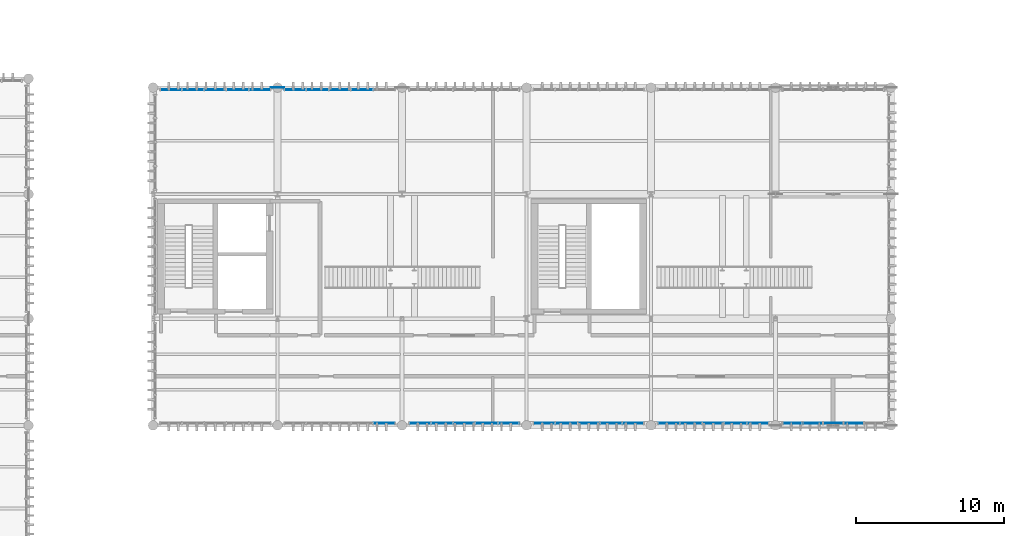
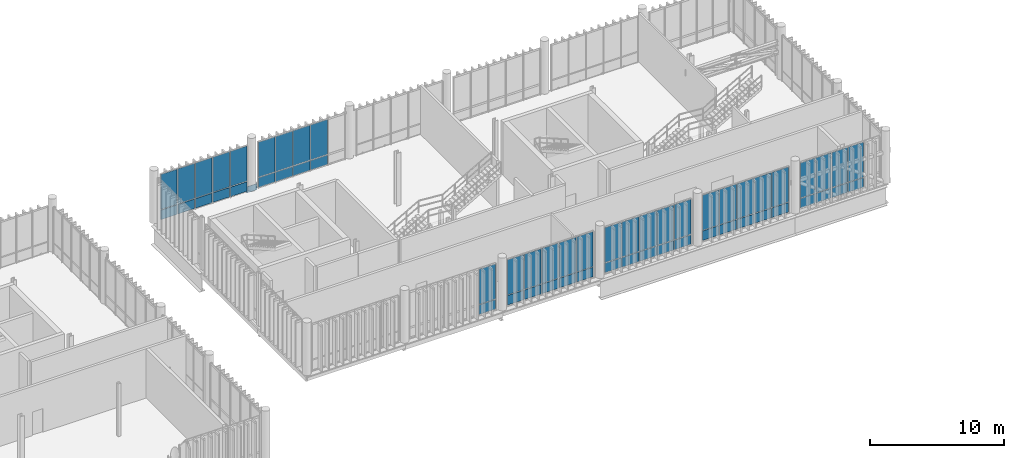
# One storey, part 65 of 86: 59 plates, 7 elements without a shape of their own.
"""IFC4 building model written with IfcOpenShell, lengths in metres."""

from ifc_helpers import new_model, si_unit, direction, frame, frame_2d, origin_with_axes, origin_2d_with_axis, place, context, subcontext, project, spatial, rectangle, extrude, material, layer, layer_set, type_object, element, aggregate, save


model = new_model("IFC4")

# Units and contexts
model_context = context("Model", 3, precision=1e-05, world=origin_with_axes(), true_north=direction((0.0, 1.0)))
body_context = subcontext(model_context, "Body", "Model", "MODEL_VIEW")
ifc_project = project(units=[si_unit("LENGTHUNIT", "METRE"), si_unit("AREAUNIT", "SQUARE_METRE"), si_unit("VOLUMEUNIT", "CUBIC_METRE"), si_unit("PLANEANGLEUNIT", "RADIAN"), si_unit("MASSUNIT", "GRAM", prefix="KILO"), si_unit("THERMODYNAMICTEMPERATUREUNIT", "KELVIN")], contexts=[model_context])

# Site, building, storey
site_placement = place(None, origin_with_axes())
site = spatial("IfcSite", under=ifc_project, at=site_placement, CompositionType="ELEMENT")
building_placement = place(site_placement, origin_with_axes())
building = spatial("IfcBuilding", under=site, at=building_placement, Name="Montbau Bow Law Courts", CompositionType="ELEMENT")
storey_placement = place(building_placement, frame((0.0, 0.0, 29.7), z_axis=(0.0, 0.0, 1.0), x_axis=(1.0, 0.0, 0.0)))
storey = spatial("IfcBuildingStorey", under=building, at=storey_placement, Name="L06", CompositionType="ELEMENT", Elevation=29.7)

# Curtain wall, plate
ifc_material_1 = material(Name="Thermally Broken Extruded Aluminium AA 6063-T6", Category="aluminium")
curtain_wall_type = type_object("IfcCurtainWallType", Name="CW-CRM-02", PredefinedType="NOTDEFINED", material=ifc_material_1)
curtain_wall_1_placement = place(None, frame((64.04, 39.14, 29.7), z_axis=(0.0, 0.0, 1.0), x_axis=(1.0, 0.0, 0.0)))
curtain_wall_1 = element("IfcCurtainWall", 1, at=curtain_wall_1_placement, inside=storey, type_object=curtain_wall_type, Name="CW-L06-224:cw_0224", PredefinedType="NOTDEFINED")
ifc_material_2 = material(Name="Triple-Glazed Low-E Argon Insulating Glass Unit", Category="glass")
ifc_layer_1 = layer(ifc_material_2, 0.044, Name="Curtain Panel", Category="glass")
ifc_layer_set_1 = layer_set([ifc_layer_1], Name="Triple-Glazed Low-E Argon Insulating Glass Unit")
plate_type_1 = type_object("IfcPlateType", Name="PL-CWP-01", PredefinedType="CURTAIN_PANEL", material=ifc_layer_set_1)
plate_1_placement = place(None, frame((70.088, 39.14, 30.682), z_axis=(0.0, -1.0, 0.0), x_axis=(1.0, 0.0, 0.0)))
plate_1 = element("IfcPlate", 2, at=plate_1_placement, type_object=plate_type_1, Name="CW-L06-224-P05-2:cw_0224_P05_2", PredefinedType="CURTAIN_PANEL", context=body_context, shape_type="SweptSolid", body=[
    extrude(rectangle(XDim=1.41, YDim=3.176, at=frame_2d((0.705, 1.588), x_axis=(1.0, 0.0))), frame((0.0, 0.0, -0.022), z_axis=(0.0, 0.0, 1.0), x_axis=(1.0, 0.0, 0.0)), (0.0, 0.0, 1.0), 0.044),
])

# Curtain wall, plates
curtain_wall_2_placement = place(None, frame((72.44, 39.14, 29.7), z_axis=(0.0, 0.0, 1.0), x_axis=(1.0, 0.0, 0.0)))
curtain_wall_2 = element("IfcCurtainWall", 3, at=curtain_wall_2_placement, inside=storey, type_object=curtain_wall_type, Name="CW-L06-225:cw_0225", PredefinedType="NOTDEFINED")
plate_2_placement = place(None, frame((72.516, 39.14, 30.679), z_axis=(0.0, -1.0, 0.0), x_axis=(1.0, 0.0, 0.0)))
plate_2 = element("IfcPlate", 4, at=plate_2_placement, type_object=plate_type_1, Name="CW-L06-225-P01-2:cw_0225_P01_2", PredefinedType="CURTAIN_PANEL", context=body_context, shape_type="SweptSolid", body=[
    extrude(rectangle(XDim=1.388, YDim=3.183, at=frame_2d((0.694, 1.5915), x_axis=(1.0, 0.0))), frame((0.0, 0.0, -0.022), z_axis=(0.0, 0.0, 1.0), x_axis=(1.0, 0.0, 0.0)), (0.0, 0.0, 1.0), 0.044),
])
plate_3_placement = place(None, frame((73.984, 39.14, 30.679), z_axis=(0.0, -1.0, 0.0), x_axis=(1.0, 0.0, 0.0)))
plate_3 = element("IfcPlate", 5, at=plate_3_placement, type_object=plate_type_1, Name="CW-L06-225-P02-2:cw_0225_P02_2", PredefinedType="CURTAIN_PANEL", context=body_context, shape_type="SweptSolid", body=[
    extrude(rectangle(XDim=1.425, YDim=3.183, at=frame_2d((0.7125, 1.5915), x_axis=(1.0, 0.0))), frame((0.0, 0.0, -0.022), z_axis=(0.0, 0.0, 1.0), x_axis=(1.0, 0.0, 0.0)), (0.0, 0.0, 1.0), 0.044),
])
plate_4_placement = place(None, frame((75.487, 39.14, 30.679), z_axis=(0.0, -1.0, 0.0), x_axis=(1.0, 0.0, 0.0)))
plate_4 = element("IfcPlate", 6, at=plate_4_placement, type_object=plate_type_1, Name="CW-L06-225-P03-2:cw_0225_P03_2", PredefinedType="CURTAIN_PANEL", context=body_context, shape_type="SweptSolid", body=[
    extrude(rectangle(XDim=1.426, YDim=3.183, at=frame_2d((0.713, 1.5915), x_axis=(1.0, 0.0))), frame((0.0, 0.0, -0.022), z_axis=(0.0, 0.0, 1.0), x_axis=(1.0, 0.0, 0.0)), (0.0, 0.0, 1.0), 0.044),
])
plate_5_placement = place(None, frame((76.991, 39.14, 30.679), z_axis=(0.0, -1.0, 0.0), x_axis=(1.0, 0.0, 0.0)))
plate_5 = element("IfcPlate", 7, at=plate_5_placement, type_object=plate_type_1, Name="CW-L06-225-P04-2:cw_0225_P04_2", PredefinedType="CURTAIN_PANEL", context=body_context, shape_type="SweptSolid", body=[
    extrude(rectangle(XDim=1.426, YDim=3.183, at=frame_2d((0.713, 1.5915), x_axis=(1.0, 0.0))), frame((0.0, 0.0, -0.022), z_axis=(0.0, 0.0, 1.0), x_axis=(1.0, 0.0, 0.0)), (0.0, 0.0, 1.0), 0.044),
])
plate_6_placement = place(None, frame((78.495, 39.14, 30.679), z_axis=(0.0, -1.0, 0.0), x_axis=(1.0, 0.0, 0.0)))
plate_6 = element("IfcPlate", 8, at=plate_6_placement, type_object=plate_type_1, Name="CW-L06-225-P05-2:cw_0225_P05_2", PredefinedType="CURTAIN_PANEL", context=body_context, shape_type="SweptSolid", body=[
    extrude(rectangle(XDim=1.388, YDim=3.183, at=frame_2d((0.694, 1.5915), x_axis=(1.0, 0.0))), frame((0.0, 0.0, -0.022), z_axis=(0.0, 0.0, 1.0), x_axis=(1.0, 0.0, 0.0)), (0.0, 0.0, 1.0), 0.044),
])

curtain_wall_3_placement = place(None, frame((80.84, 39.14, 29.7), z_axis=(0.0, 0.0, 1.0), x_axis=(1.0, 0.0, 0.0)))
curtain_wall_3 = element("IfcCurtainWall", 9, at=curtain_wall_3_placement, inside=storey, type_object=curtain_wall_type, Name="CW-L06-226:cw_0226", PredefinedType="NOTDEFINED")
plate_7_placement = place(None, frame((80.908, 39.14, 30.682), z_axis=(0.0, -1.0, 0.0), x_axis=(1.0, 0.0, 0.0)))
plate_7 = element("IfcPlate", 10, at=plate_7_placement, type_object=plate_type_1, Name="CW-L06-226-P01-2:cw_0226_P01_2", PredefinedType="CURTAIN_PANEL", context=body_context, shape_type="SweptSolid", body=[
    extrude(rectangle(XDim=1.402, YDim=3.176, at=frame_2d((0.701, 1.588), x_axis=(1.0, 0.0))), frame((0.0, 0.0, -0.022), z_axis=(0.0, 0.0, 1.0), x_axis=(1.0, 0.0, 0.0)), (0.0, 0.0, 1.0), 0.044),
])
plate_8_placement = place(None, frame((82.378, 39.14, 30.682), z_axis=(0.0, -1.0, 0.0), x_axis=(1.0, 0.0, 0.0)))
plate_8 = element("IfcPlate", 11, at=plate_8_placement, type_object=plate_type_1, Name="CW-L06-226-P02-2:cw_0226_P02_2", PredefinedType="CURTAIN_PANEL", context=body_context, shape_type="SweptSolid", body=[
    extrude(rectangle(XDim=1.436, YDim=3.176, at=frame_2d((0.718, 1.588), x_axis=(1.0, 0.0))), frame((0.0, 0.0, -0.022), z_axis=(0.0, 0.0, 1.0), x_axis=(1.0, 0.0, 0.0)), (0.0, 0.0, 1.0), 0.044),
])
plate_9_placement = place(None, frame((83.882, 39.14, 30.682), z_axis=(0.0, -1.0, 0.0), x_axis=(1.0, 0.0, 0.0)))
plate_9 = element("IfcPlate", 12, at=plate_9_placement, type_object=plate_type_1, Name="CW-L06-226-P03-2:cw_0226_P03_2", PredefinedType="CURTAIN_PANEL", context=body_context, shape_type="SweptSolid", body=[
    extrude(rectangle(XDim=1.436, YDim=3.176, at=frame_2d((0.718, 1.588), x_axis=(1.0, 0.0))), frame((0.0, 0.0, -0.022), z_axis=(0.0, 0.0, 1.0), x_axis=(1.0, 0.0, 0.0)), (0.0, 0.0, 1.0), 0.044),
])
plate_10_placement = place(None, frame((85.386, 39.14, 30.682), z_axis=(0.0, -1.0, 0.0), x_axis=(1.0, 0.0, 0.0)))
plate_10 = element("IfcPlate", 13, at=plate_10_placement, type_object=plate_type_1, Name="CW-L06-226-P04-2:cw_0226_P04_2", PredefinedType="CURTAIN_PANEL", context=body_context, shape_type="SweptSolid", body=[
    extrude(rectangle(XDim=1.436, YDim=3.176, at=frame_2d((0.718, 1.588), x_axis=(1.0, 0.0))), frame((0.0, 0.0, -0.022), z_axis=(0.0, 0.0, 1.0), x_axis=(1.0, 0.0, 0.0)), (0.0, 0.0, 1.0), 0.044),
])
plate_11_placement = place(None, frame((86.89, 39.14, 30.682), z_axis=(0.0, -1.0, 0.0), x_axis=(1.0, 0.0, 0.0)))
plate_11 = element("IfcPlate", 14, at=plate_11_placement, type_object=plate_type_1, Name="CW-L06-226-P05-2:cw_0226_P05_2", PredefinedType="CURTAIN_PANEL", context=body_context, shape_type="SweptSolid", body=[
    extrude(rectangle(XDim=1.403, YDim=3.176, at=frame_2d((0.7015, 1.588), x_axis=(1.0, 0.0))), frame((0.0, 0.0, -0.022), z_axis=(0.0, 0.0, 1.0), x_axis=(1.0, 0.0, 0.0)), (0.0, 0.0, 1.0), 0.044),
])

curtain_wall_4_placement = place(None, frame((89.24, 39.14, 29.7), z_axis=(0.0, 0.0, 1.0), x_axis=(1.0, 0.0, 0.0)))
curtain_wall_4 = element("IfcCurtainWall", 15, at=curtain_wall_4_placement, inside=storey, type_object=curtain_wall_type, Name="CW-L06-227:cw_0227", PredefinedType="NOTDEFINED")
plate_12_placement = place(None, frame((89.302, 39.14, 30.679), z_axis=(0.0, -1.0, 0.0), x_axis=(1.0, 0.0, 0.0)))
plate_12 = element("IfcPlate", 16, at=plate_12_placement, type_object=plate_type_1, Name="CW-L06-227-P01-2:cw_0227_P01_2", PredefinedType="CURTAIN_PANEL", context=body_context, shape_type="SweptSolid", body=[
    extrude(rectangle(XDim=1.41, YDim=3.183, at=frame_2d((0.705, 1.5915), x_axis=(1.0, 0.0))), frame((0.0, 0.0, -0.022), z_axis=(0.0, 0.0, 1.0), x_axis=(1.0, 0.0, 0.0)), (0.0, 0.0, 1.0), 0.044),
])
plate_13_placement = place(None, frame((90.776, 39.14, 30.679), z_axis=(0.0, -1.0, 0.0), x_axis=(1.0, 0.0, 0.0)))
plate_13 = element("IfcPlate", 17, at=plate_13_placement, type_object=plate_type_1, Name="CW-L06-227-P02-2:cw_0227_P02_2", PredefinedType="CURTAIN_PANEL", context=body_context, shape_type="SweptSolid", body=[
    extrude(rectangle(XDim=1.44, YDim=3.183, at=frame_2d((0.72, 1.5915), x_axis=(1.0, 0.0))), frame((0.0, 0.0, -0.022), z_axis=(0.0, 0.0, 1.0), x_axis=(1.0, 0.0, 0.0)), (0.0, 0.0, 1.0), 0.044),
])
plate_14_placement = place(None, frame((92.28, 39.14, 30.679), z_axis=(0.0, -1.0, 0.0), x_axis=(1.0, 0.0, 0.0)))
plate_14 = element("IfcPlate", 18, at=plate_14_placement, type_object=plate_type_1, Name="CW-L06-227-P03-2:cw_0227_P03_2", PredefinedType="CURTAIN_PANEL", context=body_context, shape_type="SweptSolid", body=[
    extrude(rectangle(XDim=1.44, YDim=3.183, at=frame_2d((0.72, 1.5915), x_axis=(1.0, 0.0))), frame((0.0, 0.0, -0.022), z_axis=(0.0, 0.0, 1.0), x_axis=(1.0, 0.0, 0.0)), (0.0, 0.0, 1.0), 0.044),
])
plate_15_placement = place(None, frame((93.784, 39.14, 30.679), z_axis=(0.0, -1.0, 0.0), x_axis=(1.0, 0.0, 0.0)))
plate_15 = element("IfcPlate", 19, at=plate_15_placement, type_object=plate_type_1, Name="CW-L06-227-P04-2:cw_0227_P04_2", PredefinedType="CURTAIN_PANEL", context=body_context, shape_type="SweptSolid", body=[
    extrude(rectangle(XDim=1.44, YDim=3.183, at=frame_2d((0.72, 1.5915), x_axis=(1.0, 0.0))), frame((0.0, 0.0, -0.022), z_axis=(0.0, 0.0, 1.0), x_axis=(1.0, 0.0, 0.0)), (0.0, 0.0, 1.0), 0.044),
])
plate_16_placement = place(None, frame((95.288, 39.14, 30.679), z_axis=(0.0, -1.0, 0.0), x_axis=(1.0, 0.0, 0.0)))
plate_16 = element("IfcPlate", 20, at=plate_16_placement, type_object=plate_type_1, Name="CW-L06-227-P05-2:cw_0227_P05_2", PredefinedType="CURTAIN_PANEL", context=body_context, shape_type="SweptSolid", body=[
    extrude(rectangle(XDim=1.41, YDim=3.183, at=frame_2d((0.705, 1.5915), x_axis=(1.0, 0.0))), frame((0.0, 0.0, -0.022), z_axis=(0.0, 0.0, 1.0), x_axis=(1.0, 0.0, 0.0)), (0.0, 0.0, 1.0), 0.044),
])

curtain_wall_5_placement = place(None, frame((97.64, 39.14, 29.7), z_axis=(0.0, 0.0, 1.0), x_axis=(1.0, 0.0, 0.0)))
curtain_wall_5 = element("IfcCurtainWall", 21, at=curtain_wall_5_placement, inside=storey, type_object=curtain_wall_type, Name="CW-L06-228:cw_0228", PredefinedType="NOTDEFINED")
plate_17_placement = place(None, frame((97.716, 39.14, 30.682), z_axis=(0.0, -1.0, 0.0), x_axis=(1.0, 0.0, 0.0)))
plate_17 = element("IfcPlate", 22, at=plate_17_placement, type_object=plate_type_1, Name="CW-L06-228-P01-2:cw_0228_P01_2", PredefinedType="CURTAIN_PANEL", context=body_context, shape_type="SweptSolid", body=[
    extrude(rectangle(XDim=1.268, YDim=3.176, at=frame_2d((0.634, 1.588), x_axis=(1.0, 0.0))), frame((0.0, 0.0, -0.022), z_axis=(0.0, 0.0, 1.0), x_axis=(1.0, 0.0, 0.0)), (0.0, 0.0, 1.0), 0.044),
])
plate_18_placement = place(None, frame((99.063, 39.14, 30.682), z_axis=(0.0, -1.0, 0.0), x_axis=(1.0, 0.0, 0.0)))
plate_18 = element("IfcPlate", 23, at=plate_18_placement, type_object=plate_type_1, Name="CW-L06-228-P02-2:cw_0228_P02_2", PredefinedType="CURTAIN_PANEL", context=body_context, shape_type="SweptSolid", body=[
    extrude(rectangle(XDim=1.305, YDim=3.176, at=frame_2d((0.6525, 1.588), x_axis=(1.0, 0.0))), frame((0.0, 0.0, -0.022), z_axis=(0.0, 0.0, 1.0), x_axis=(1.0, 0.0, 0.0)), (0.0, 0.0, 1.0), 0.044),
])
plate_19_placement = place(None, frame((100.447, 39.14, 30.682), z_axis=(0.0, -1.0, 0.0), x_axis=(1.0, 0.0, 0.0)))
plate_19 = element("IfcPlate", 24, at=plate_19_placement, type_object=plate_type_1, Name="CW-L06-228-P03-2:cw_0228_P03_2", PredefinedType="CURTAIN_PANEL", context=body_context, shape_type="SweptSolid", body=[
    extrude(rectangle(XDim=1.306, YDim=3.176, at=frame_2d((0.653, 1.588), x_axis=(1.0, 0.0))), frame((0.0, 0.0, -0.022), z_axis=(0.0, 0.0, 1.0), x_axis=(1.0, 0.0, 0.0)), (0.0, 0.0, 1.0), 0.044),
])
plate_20_placement = place(None, frame((101.831, 39.14, 30.682), z_axis=(0.0, -1.0, 0.0), x_axis=(1.0, 0.0, 0.0)))
plate_20 = element("IfcPlate", 25, at=plate_20_placement, type_object=plate_type_1, Name="CW-L06-228-P04-2:cw_0228_P04_2", PredefinedType="CURTAIN_PANEL", context=body_context, shape_type="SweptSolid", body=[
    extrude(rectangle(XDim=1.306, YDim=3.176, at=frame_2d((0.653, 1.588), x_axis=(1.0, 0.0))), frame((0.0, 0.0, -0.022), z_axis=(0.0, 0.0, 1.0), x_axis=(1.0, 0.0, 0.0)), (0.0, 0.0, 1.0), 0.044),
])

curtain_wall_6_placement = place(None, frame((55.64, 61.66, 29.7), z_axis=(0.0, 0.0, 1.0), x_axis=(1.0, 0.0, 0.0)))
curtain_wall_6 = element("IfcCurtainWall", 26, at=curtain_wall_6_placement, inside=storey, type_object=curtain_wall_type, Name="CW-L06-229:cw_0229", PredefinedType="NOTDEFINED")
plate_21_placement = place(None, frame((55.708, 61.66, 30.679), z_axis=(0.0, -1.0, 0.0), x_axis=(1.0, 0.0, 0.0)))
plate_21 = element("IfcPlate", 27, at=plate_21_placement, type_object=plate_type_1, Name="CW-L06-229-P01-2:cw_0229_P01_2", PredefinedType="CURTAIN_PANEL", context=body_context, shape_type="SweptSolid", body=[
    extrude(rectangle(XDim=1.402, YDim=3.183, at=frame_2d((0.701, 1.5915), x_axis=(1.0, 0.0))), frame((0.0, 0.0, -0.022), z_axis=(0.0, 0.0, 1.0), x_axis=(1.0, 0.0, 0.0)), (0.0, 0.0, 1.0), 0.044),
])
plate_22_placement = place(None, frame((57.178, 61.66, 30.679), z_axis=(0.0, -1.0, 0.0), x_axis=(1.0, 0.0, 0.0)))
plate_22 = element("IfcPlate", 28, at=plate_22_placement, type_object=plate_type_1, Name="CW-L06-229-P02-2:cw_0229_P02_2", PredefinedType="CURTAIN_PANEL", context=body_context, shape_type="SweptSolid", body=[
    extrude(rectangle(XDim=1.436, YDim=3.183, at=frame_2d((0.718, 1.5915), x_axis=(1.0, 0.0))), frame((0.0, 0.0, -0.022), z_axis=(0.0, 0.0, 1.0), x_axis=(1.0, 0.0, 0.0)), (0.0, 0.0, 1.0), 0.044),
])
plate_23_placement = place(None, frame((58.682, 61.66, 30.679), z_axis=(0.0, -1.0, 0.0), x_axis=(1.0, 0.0, 0.0)))
plate_23 = element("IfcPlate", 29, at=plate_23_placement, type_object=plate_type_1, Name="CW-L06-229-P03-2:cw_0229_P03_2", PredefinedType="CURTAIN_PANEL", context=body_context, shape_type="SweptSolid", body=[
    extrude(rectangle(XDim=1.436, YDim=3.183, at=frame_2d((0.718, 1.5915), x_axis=(1.0, 0.0))), frame((0.0, 0.0, -0.022), z_axis=(0.0, 0.0, 1.0), x_axis=(1.0, 0.0, 0.0)), (0.0, 0.0, 1.0), 0.044),
])
plate_24_placement = place(None, frame((60.186, 61.66, 30.679), z_axis=(0.0, -1.0, 0.0), x_axis=(1.0, 0.0, 0.0)))
plate_24 = element("IfcPlate", 30, at=plate_24_placement, type_object=plate_type_1, Name="CW-L06-229-P04-2:cw_0229_P04_2", PredefinedType="CURTAIN_PANEL", context=body_context, shape_type="SweptSolid", body=[
    extrude(rectangle(XDim=1.436, YDim=3.183, at=frame_2d((0.718, 1.5915), x_axis=(1.0, 0.0))), frame((0.0, 0.0, -0.022), z_axis=(0.0, 0.0, 1.0), x_axis=(1.0, 0.0, 0.0)), (0.0, 0.0, 1.0), 0.044),
])
plate_25_placement = place(None, frame((61.69, 61.66, 30.679), z_axis=(0.0, -1.0, 0.0), x_axis=(1.0, 0.0, 0.0)))
plate_25 = element("IfcPlate", 31, at=plate_25_placement, type_object=plate_type_1, Name="CW-L06-229-P05-2:cw_0229_P05_2", PredefinedType="CURTAIN_PANEL", context=body_context, shape_type="SweptSolid", body=[
    extrude(rectangle(XDim=1.403, YDim=3.183, at=frame_2d((0.7015, 1.5915), x_axis=(1.0, 0.0))), frame((0.0, 0.0, -0.022), z_axis=(0.0, 0.0, 1.0), x_axis=(1.0, 0.0, 0.0)), (0.0, 0.0, 1.0), 0.044),
])

curtain_wall_7_placement = place(None, frame((64.04, 61.66, 29.7), z_axis=(0.0, 0.0, 1.0), x_axis=(1.0, 0.0, 0.0)))
curtain_wall_7 = element("IfcCurtainWall", 32, at=curtain_wall_7_placement, inside=storey, type_object=curtain_wall_type, Name="CW-L06-230:cw_0230", PredefinedType="NOTDEFINED")
plate_26_placement = place(None, frame((64.102, 61.66, 30.682), z_axis=(0.0, -1.0, 0.0), x_axis=(1.0, 0.0, 0.0)))
plate_26 = element("IfcPlate", 33, at=plate_26_placement, type_object=plate_type_1, Name="CW-L06-230-P01-2:cw_0230_P01_2", PredefinedType="CURTAIN_PANEL", context=body_context, shape_type="SweptSolid", body=[
    extrude(rectangle(XDim=1.41, YDim=3.176, at=frame_2d((0.705, 1.588), x_axis=(1.0, 0.0))), frame((0.0, 0.0, -0.022), z_axis=(0.0, 0.0, 1.0), x_axis=(1.0, 0.0, 0.0)), (0.0, 0.0, 1.0), 0.044),
])
plate_27_placement = place(None, frame((65.576, 61.66, 30.682), z_axis=(0.0, -1.0, 0.0), x_axis=(1.0, 0.0, 0.0)))
plate_27 = element("IfcPlate", 34, at=plate_27_placement, type_object=plate_type_1, Name="CW-L06-230-P02-2:cw_0230_P02_2", PredefinedType="CURTAIN_PANEL", context=body_context, shape_type="SweptSolid", body=[
    extrude(rectangle(XDim=1.44, YDim=3.176, at=frame_2d((0.72, 1.588), x_axis=(1.0, 0.0))), frame((0.0, 0.0, -0.022), z_axis=(0.0, 0.0, 1.0), x_axis=(1.0, 0.0, 0.0)), (0.0, 0.0, 1.0), 0.044),
])
plate_28_placement = place(None, frame((67.08, 61.66, 30.682), z_axis=(0.0, -1.0, 0.0), x_axis=(1.0, 0.0, 0.0)))
plate_28 = element("IfcPlate", 35, at=plate_28_placement, type_object=plate_type_1, Name="CW-L06-230-P03-2:cw_0230_P03_2", PredefinedType="CURTAIN_PANEL", context=body_context, shape_type="SweptSolid", body=[
    extrude(rectangle(XDim=1.44, YDim=3.176, at=frame_2d((0.72, 1.588), x_axis=(1.0, 0.0))), frame((0.0, 0.0, -0.022), z_axis=(0.0, 0.0, 1.0), x_axis=(1.0, 0.0, 0.0)), (0.0, 0.0, 1.0), 0.044),
])
plate_29_placement = place(None, frame((68.584, 61.66, 30.682), z_axis=(0.0, -1.0, 0.0), x_axis=(1.0, 0.0, 0.0)))
plate_29 = element("IfcPlate", 36, at=plate_29_placement, type_object=plate_type_1, Name="CW-L06-230-P04-2:cw_0230_P04_2", PredefinedType="CURTAIN_PANEL", context=body_context, shape_type="SweptSolid", body=[
    extrude(rectangle(XDim=1.44, YDim=3.176, at=frame_2d((0.72, 1.588), x_axis=(1.0, 0.0))), frame((0.0, 0.0, -0.022), z_axis=(0.0, 0.0, 1.0), x_axis=(1.0, 0.0, 0.0)), (0.0, 0.0, 1.0), 0.044),
])

# Plate
ifc_material_3 = material(Name="Insulated Ceramic-Frit Spandrel Glazing Unit", Category="glass")
ifc_layer_2 = layer(ifc_material_3, 0.056, Name="Curtain Panel", Category="glass")
ifc_layer_set_2 = layer_set([ifc_layer_2], Name="Insulated Ceramic-Frit Spandrel Glazing Unit")
plate_type_2 = type_object("IfcPlateType", Name="PL-CWP-02", PredefinedType="CURTAIN_PANEL", material=ifc_layer_set_2)
plate_30_placement = place(None, frame((70.088, 39.14, 29.762), z_axis=(0.0, -1.0, 0.0), x_axis=(1.0, 0.0, 0.0)))
plate_30 = element("IfcPlate", 37, at=plate_30_placement, type_object=plate_type_2, Name="CW-L06-224-P05-1:cw_0224_P05_1", PredefinedType="CURTAIN_PANEL", context=body_context, shape_type="SweptSolid", body=[
    extrude(rectangle(XDim=1.41, YDim=0.856, at=frame_2d((0.705, 0.428), x_axis=(1.0, 0.0))), frame((0.0, 0.0, -0.028), z_axis=(0.0, 0.0, 1.0), x_axis=(1.0, 0.0, 0.0)), (0.0, 0.0, 1.0), 0.056),
])

aggregate(curtain_wall_1, [plate_30, plate_1])

plate_31_placement = place(None, frame((72.516, 39.14, 29.756), z_axis=(0.0, -1.0, 0.0), x_axis=(1.0, 0.0, 0.0)))
plate_31 = element("IfcPlate", 38, at=plate_31_placement, type_object=plate_type_2, Name="CW-L06-225-P01-1:cw_0225_P01_1", PredefinedType="CURTAIN_PANEL", context=body_context, shape_type="SweptSolid", body=[
    extrude(rectangle(XDim=1.388, YDim=0.864, at=frame_2d((0.694, 0.432), x_axis=(1.0, 0.0))), frame((0.0, 0.0, -0.028), z_axis=(0.0, 0.0, 1.0), x_axis=(1.0, 0.0, 0.0)), (0.0, 0.0, 1.0), 0.056),
])

plate_32_placement = place(None, frame((73.984, 39.14, 29.756), z_axis=(0.0, -1.0, 0.0), x_axis=(1.0, 0.0, 0.0)))
plate_32 = element("IfcPlate", 39, at=plate_32_placement, type_object=plate_type_2, Name="CW-L06-225-P02-1:cw_0225_P02_1", PredefinedType="CURTAIN_PANEL", context=body_context, shape_type="SweptSolid", body=[
    extrude(rectangle(XDim=1.425, YDim=0.864, at=frame_2d((0.7125, 0.432), x_axis=(1.0, 0.0))), frame((0.0, 0.0, -0.028), z_axis=(0.0, 0.0, 1.0), x_axis=(1.0, 0.0, 0.0)), (0.0, 0.0, 1.0), 0.056),
])

plate_33_placement = place(None, frame((75.487, 39.14, 29.756), z_axis=(0.0, -1.0, 0.0), x_axis=(1.0, 0.0, 0.0)))
plate_33 = element("IfcPlate", 40, at=plate_33_placement, type_object=plate_type_2, Name="CW-L06-225-P03-1:cw_0225_P03_1", PredefinedType="CURTAIN_PANEL", context=body_context, shape_type="SweptSolid", body=[
    extrude(rectangle(XDim=1.426, YDim=0.864, at=frame_2d((0.713, 0.432), x_axis=(1.0, 0.0))), frame((0.0, 0.0, -0.028), z_axis=(0.0, 0.0, 1.0), x_axis=(1.0, 0.0, 0.0)), (0.0, 0.0, 1.0), 0.056),
])

plate_34_placement = place(None, frame((76.991, 39.14, 29.756), z_axis=(0.0, -1.0, 0.0), x_axis=(1.0, 0.0, 0.0)))
plate_34 = element("IfcPlate", 41, at=plate_34_placement, type_object=plate_type_2, Name="CW-L06-225-P04-1:cw_0225_P04_1", PredefinedType="CURTAIN_PANEL", context=body_context, shape_type="SweptSolid", body=[
    extrude(rectangle(XDim=1.426, YDim=0.864, at=frame_2d((0.713, 0.432), x_axis=(1.0, 0.0))), frame((0.0, 0.0, -0.028), z_axis=(0.0, 0.0, 1.0), x_axis=(1.0, 0.0, 0.0)), (0.0, 0.0, 1.0), 0.056),
])

plate_35_placement = place(None, frame((78.495, 39.14, 29.756), z_axis=(0.0, -1.0, 0.0), x_axis=(1.0, 0.0, 0.0)))
plate_35 = element("IfcPlate", 42, at=plate_35_placement, type_object=plate_type_2, Name="CW-L06-225-P05-1:cw_0225_P05_1", PredefinedType="CURTAIN_PANEL", context=body_context, shape_type="SweptSolid", body=[
    extrude(rectangle(XDim=1.388, YDim=0.864, at=frame_2d((0.694, 0.432), x_axis=(1.0, 0.0))), frame((0.0, 0.0, -0.028), z_axis=(0.0, 0.0, 1.0), x_axis=(1.0, 0.0, 0.0)), (0.0, 0.0, 1.0), 0.056),
])

aggregate(curtain_wall_2, [plate_31, plate_2, plate_32, plate_3, plate_33, plate_4, plate_34, plate_5, plate_35, plate_6])

plate_36_placement = place(None, frame((80.908, 39.14, 29.762), z_axis=(0.0, -1.0, 0.0), x_axis=(1.0, 0.0, 0.0)))
plate_36 = element("IfcPlate", 43, at=plate_36_placement, type_object=plate_type_2, Name="CW-L06-226-P01-1:cw_0226_P01_1", PredefinedType="CURTAIN_PANEL", context=body_context, shape_type="SweptSolid", body=[
    extrude(rectangle(XDim=1.402, YDim=0.856, at=frame_2d((0.701, 0.428), x_axis=(1.0, 0.0))), frame((0.0, 0.0, -0.028), z_axis=(0.0, 0.0, 1.0), x_axis=(1.0, 0.0, 0.0)), (0.0, 0.0, 1.0), 0.056),
])

plate_37_placement = place(None, frame((82.378, 39.14, 29.762), z_axis=(0.0, -1.0, 0.0), x_axis=(1.0, 0.0, 0.0)))
plate_37 = element("IfcPlate", 44, at=plate_37_placement, type_object=plate_type_2, Name="CW-L06-226-P02-1:cw_0226_P02_1", PredefinedType="CURTAIN_PANEL", context=body_context, shape_type="SweptSolid", body=[
    extrude(rectangle(XDim=1.436, YDim=0.856, at=frame_2d((0.718, 0.428), x_axis=(1.0, 0.0))), frame((0.0, 0.0, -0.028), z_axis=(0.0, 0.0, 1.0), x_axis=(1.0, 0.0, 0.0)), (0.0, 0.0, 1.0), 0.056),
])

plate_38_placement = place(None, frame((83.882, 39.14, 29.762), z_axis=(0.0, -1.0, 0.0), x_axis=(1.0, 0.0, 0.0)))
plate_38 = element("IfcPlate", 45, at=plate_38_placement, type_object=plate_type_2, Name="CW-L06-226-P03-1:cw_0226_P03_1", PredefinedType="CURTAIN_PANEL", context=body_context, shape_type="SweptSolid", body=[
    extrude(rectangle(XDim=1.436, YDim=0.856, at=frame_2d((0.718, 0.428), x_axis=(1.0, 0.0))), frame((0.0, 0.0, -0.028), z_axis=(0.0, 0.0, 1.0), x_axis=(1.0, 0.0, 0.0)), (0.0, 0.0, 1.0), 0.056),
])

plate_39_placement = place(None, frame((85.386, 39.14, 29.762), z_axis=(0.0, -1.0, 0.0), x_axis=(1.0, 0.0, 0.0)))
plate_39 = element("IfcPlate", 46, at=plate_39_placement, type_object=plate_type_2, Name="CW-L06-226-P04-1:cw_0226_P04_1", PredefinedType="CURTAIN_PANEL", context=body_context, shape_type="SweptSolid", body=[
    extrude(rectangle(XDim=1.436, YDim=0.856, at=frame_2d((0.718, 0.428), x_axis=(1.0, 0.0))), frame((0.0, 0.0, -0.028), z_axis=(0.0, 0.0, 1.0), x_axis=(1.0, 0.0, 0.0)), (0.0, 0.0, 1.0), 0.056),
])

plate_40_placement = place(None, frame((86.89, 39.14, 29.762), z_axis=(0.0, -1.0, 0.0), x_axis=(1.0, 0.0, 0.0)))
plate_40 = element("IfcPlate", 47, at=plate_40_placement, type_object=plate_type_2, Name="CW-L06-226-P05-1:cw_0226_P05_1", PredefinedType="CURTAIN_PANEL", context=body_context, shape_type="SweptSolid", body=[
    extrude(rectangle(XDim=1.403, YDim=0.856, at=frame_2d((0.7015, 0.428), x_axis=(1.0, 0.0))), frame((0.0, 0.0, -0.028), z_axis=(0.0, 0.0, 1.0), x_axis=(1.0, 0.0, 0.0)), (0.0, 0.0, 1.0), 0.056),
])

aggregate(curtain_wall_3, [plate_36, plate_7, plate_37, plate_8, plate_38, plate_9, plate_39, plate_10, plate_40, plate_11])

plate_41_placement = place(None, frame((89.302, 39.14, 29.756), z_axis=(0.0, -1.0, 0.0), x_axis=(1.0, 0.0, 0.0)))
plate_41 = element("IfcPlate", 48, at=plate_41_placement, type_object=plate_type_2, Name="CW-L06-227-P01-1:cw_0227_P01_1", PredefinedType="CURTAIN_PANEL", context=body_context, shape_type="SweptSolid", body=[
    extrude(rectangle(XDim=1.41, YDim=0.864, at=frame_2d((0.705, 0.432), x_axis=(1.0, 0.0))), frame((0.0, 0.0, -0.028), z_axis=(0.0, 0.0, 1.0), x_axis=(1.0, 0.0, 0.0)), (0.0, 0.0, 1.0), 0.056),
])

plate_42_placement = place(None, frame((90.776, 39.14, 29.756), z_axis=(0.0, -1.0, 0.0), x_axis=(1.0, 0.0, 0.0)))
plate_42 = element("IfcPlate", 49, at=plate_42_placement, type_object=plate_type_2, Name="CW-L06-227-P02-1:cw_0227_P02_1", PredefinedType="CURTAIN_PANEL", context=body_context, shape_type="SweptSolid", body=[
    extrude(rectangle(XDim=1.44, YDim=0.864, at=frame_2d((0.72, 0.432), x_axis=(1.0, 0.0))), frame((0.0, 0.0, -0.028), z_axis=(0.0, 0.0, 1.0), x_axis=(1.0, 0.0, 0.0)), (0.0, 0.0, 1.0), 0.056),
])

plate_43_placement = place(None, frame((92.28, 39.14, 29.756), z_axis=(0.0, -1.0, 0.0), x_axis=(1.0, 0.0, 0.0)))
plate_43 = element("IfcPlate", 50, at=plate_43_placement, type_object=plate_type_2, Name="CW-L06-227-P03-1:cw_0227_P03_1", PredefinedType="CURTAIN_PANEL", context=body_context, shape_type="SweptSolid", body=[
    extrude(rectangle(XDim=1.44, YDim=0.864, at=frame_2d((0.72, 0.432), x_axis=(1.0, 0.0))), frame((0.0, 0.0, -0.028), z_axis=(0.0, 0.0, 1.0), x_axis=(1.0, 0.0, 0.0)), (0.0, 0.0, 1.0), 0.056),
])

plate_44_placement = place(None, frame((93.784, 39.14, 29.756), z_axis=(0.0, -1.0, 0.0), x_axis=(1.0, 0.0, 0.0)))
plate_44 = element("IfcPlate", 51, at=plate_44_placement, type_object=plate_type_2, Name="CW-L06-227-P04-1:cw_0227_P04_1", PredefinedType="CURTAIN_PANEL", context=body_context, shape_type="SweptSolid", body=[
    extrude(rectangle(XDim=1.44, YDim=0.864, at=frame_2d((0.72, 0.432), x_axis=(1.0, 0.0))), frame((0.0, 0.0, -0.028), z_axis=(0.0, 0.0, 1.0), x_axis=(1.0, 0.0, 0.0)), (0.0, 0.0, 1.0), 0.056),
])

plate_45_placement = place(None, frame((95.288, 39.14, 29.756), z_axis=(0.0, -1.0, 0.0), x_axis=(1.0, 0.0, 0.0)))
plate_45 = element("IfcPlate", 52, at=plate_45_placement, type_object=plate_type_2, Name="CW-L06-227-P05-1:cw_0227_P05_1", PredefinedType="CURTAIN_PANEL", context=body_context, shape_type="SweptSolid", body=[
    extrude(rectangle(XDim=1.41, YDim=0.864, at=frame_2d((0.705, 0.432), x_axis=(1.0, 0.0))), frame((0.0, 0.0, -0.028), z_axis=(0.0, 0.0, 1.0), x_axis=(1.0, 0.0, 0.0)), (0.0, 0.0, 1.0), 0.056),
])

aggregate(curtain_wall_4, [plate_41, plate_12, plate_42, plate_13, plate_43, plate_14, plate_44, plate_15, plate_45, plate_16])

plate_46_placement = place(None, frame((97.716, 39.14, 29.762), z_axis=(0.0, -1.0, 0.0), x_axis=(1.0, 0.0, 0.0)))
plate_46 = element("IfcPlate", 53, at=plate_46_placement, type_object=plate_type_2, Name="CW-L06-228-P01-1:cw_0228_P01_1", PredefinedType="CURTAIN_PANEL", context=body_context, shape_type="SweptSolid", body=[
    extrude(rectangle(XDim=1.268, YDim=0.856, at=frame_2d((0.634, 0.428), x_axis=(1.0, 0.0))), frame((0.0, 0.0, -0.028), z_axis=(0.0, 0.0, 1.0), x_axis=(1.0, 0.0, 0.0)), (0.0, 0.0, 1.0), 0.056),
])

plate_47_placement = place(None, frame((99.063, 39.14, 29.762), z_axis=(0.0, -1.0, 0.0), x_axis=(1.0, 0.0, 0.0)))
plate_47 = element("IfcPlate", 54, at=plate_47_placement, type_object=plate_type_2, Name="CW-L06-228-P02-1:cw_0228_P02_1", PredefinedType="CURTAIN_PANEL", context=body_context, shape_type="SweptSolid", body=[
    extrude(rectangle(XDim=1.305, YDim=0.856, at=frame_2d((0.6525, 0.428), x_axis=(1.0, 0.0))), frame((0.0, 0.0, -0.028), z_axis=(0.0, 0.0, 1.0), x_axis=(1.0, 0.0, 0.0)), (0.0, 0.0, 1.0), 0.056),
])

plate_48_placement = place(None, frame((100.447, 39.14, 29.762), z_axis=(0.0, -1.0, 0.0), x_axis=(1.0, 0.0, 0.0)))
plate_48 = element("IfcPlate", 55, at=plate_48_placement, type_object=plate_type_2, Name="CW-L06-228-P03-1:cw_0228_P03_1", PredefinedType="CURTAIN_PANEL", context=body_context, shape_type="SweptSolid", body=[
    extrude(rectangle(XDim=1.306, YDim=0.856, at=frame_2d((0.653, 0.428), x_axis=(1.0, 0.0))), frame((0.0, 0.0, -0.028), z_axis=(0.0, 0.0, 1.0), x_axis=(1.0, 0.0, 0.0)), (0.0, 0.0, 1.0), 0.056),
])

plate_49_placement = place(None, frame((101.831, 39.14, 29.762), z_axis=(0.0, -1.0, 0.0), x_axis=(1.0, 0.0, 0.0)))
plate_49 = element("IfcPlate", 56, at=plate_49_placement, type_object=plate_type_2, Name="CW-L06-228-P04-1:cw_0228_P04_1", PredefinedType="CURTAIN_PANEL", context=body_context, shape_type="SweptSolid", body=[
    extrude(rectangle(XDim=1.306, YDim=0.856, at=frame_2d((0.653, 0.428), x_axis=(1.0, 0.0))), frame((0.0, 0.0, -0.028), z_axis=(0.0, 0.0, 1.0), x_axis=(1.0, 0.0, 0.0)), (0.0, 0.0, 1.0), 0.056),
])

aggregate(curtain_wall_5, [plate_46, plate_17, plate_47, plate_18, plate_48, plate_19, plate_49, plate_20])

plate_50_placement = place(None, frame((55.708, 61.66, 29.756), z_axis=(0.0, -1.0, 0.0), x_axis=(1.0, 0.0, 0.0)))
plate_50 = element("IfcPlate", 57, at=plate_50_placement, type_object=plate_type_2, Name="CW-L06-229-P01-1:cw_0229_P01_1", PredefinedType="CURTAIN_PANEL", context=body_context, shape_type="SweptSolid", body=[
    extrude(rectangle(XDim=1.402, YDim=0.864, at=frame_2d((0.701, 0.432), x_axis=(1.0, 0.0))), frame((0.0, 0.0, -0.028), z_axis=(0.0, 0.0, 1.0), x_axis=(1.0, 0.0, 0.0)), (0.0, 0.0, 1.0), 0.056),
])

plate_51_placement = place(None, frame((57.178, 61.66, 29.756), z_axis=(0.0, -1.0, 0.0), x_axis=(1.0, 0.0, 0.0)))
plate_51 = element("IfcPlate", 58, at=plate_51_placement, type_object=plate_type_2, Name="CW-L06-229-P02-1:cw_0229_P02_1", PredefinedType="CURTAIN_PANEL", context=body_context, shape_type="SweptSolid", body=[
    extrude(rectangle(XDim=1.436, YDim=0.864, at=frame_2d((0.718, 0.432), x_axis=(1.0, 0.0))), frame((0.0, 0.0, -0.028), z_axis=(0.0, 0.0, 1.0), x_axis=(1.0, 0.0, 0.0)), (0.0, 0.0, 1.0), 0.056),
])

plate_52_placement = place(None, frame((58.682, 61.66, 29.756), z_axis=(0.0, -1.0, 0.0), x_axis=(1.0, 0.0, 0.0)))
plate_52 = element("IfcPlate", 59, at=plate_52_placement, type_object=plate_type_2, Name="CW-L06-229-P03-1:cw_0229_P03_1", PredefinedType="CURTAIN_PANEL", context=body_context, shape_type="SweptSolid", body=[
    extrude(rectangle(XDim=1.436, YDim=0.864, at=frame_2d((0.718, 0.432), x_axis=(1.0, 0.0))), frame((0.0, 0.0, -0.028), z_axis=(0.0, 0.0, 1.0), x_axis=(1.0, 0.0, 0.0)), (0.0, 0.0, 1.0), 0.056),
])

plate_53_placement = place(None, frame((60.186, 61.66, 29.756), z_axis=(0.0, -1.0, 0.0), x_axis=(1.0, 0.0, 0.0)))
plate_53 = element("IfcPlate", 60, at=plate_53_placement, type_object=plate_type_2, Name="CW-L06-229-P04-1:cw_0229_P04_1", PredefinedType="CURTAIN_PANEL", context=body_context, shape_type="SweptSolid", body=[
    extrude(rectangle(XDim=1.436, YDim=0.864, at=frame_2d((0.718, 0.432), x_axis=(1.0, 0.0))), frame((0.0, 0.0, -0.028), z_axis=(0.0, 0.0, 1.0), x_axis=(1.0, 0.0, 0.0)), (0.0, 0.0, 1.0), 0.056),
])

plate_54_placement = place(None, frame((61.69, 61.66, 29.756), z_axis=(0.0, -1.0, 0.0), x_axis=(1.0, 0.0, 0.0)))
plate_54 = element("IfcPlate", 61, at=plate_54_placement, type_object=plate_type_2, Name="CW-L06-229-P05-1:cw_0229_P05_1", PredefinedType="CURTAIN_PANEL", context=body_context, shape_type="SweptSolid", body=[
    extrude(rectangle(XDim=1.403, YDim=0.864, at=frame_2d((0.7015, 0.432), x_axis=(1.0, 0.0))), frame((0.0, 0.0, -0.028), z_axis=(0.0, 0.0, 1.0), x_axis=(1.0, 0.0, 0.0)), (0.0, 0.0, 1.0), 0.056),
])

aggregate(curtain_wall_6, [plate_50, plate_21, plate_51, plate_22, plate_52, plate_23, plate_53, plate_24, plate_54, plate_25])

plate_55_placement = place(None, frame((64.102, 61.66, 29.762), z_axis=(0.0, -1.0, 0.0), x_axis=(1.0, 0.0, 0.0)))
plate_55 = element("IfcPlate", 62, at=plate_55_placement, type_object=plate_type_2, Name="CW-L06-230-P01-1:cw_0230_P01_1", PredefinedType="CURTAIN_PANEL", context=body_context, shape_type="SweptSolid", body=[
    extrude(rectangle(XDim=1.41, YDim=0.856, at=frame_2d((0.705, 0.428), x_axis=(1.0, 0.0))), frame((0.0, 0.0, -0.028), z_axis=(0.0, 0.0, 1.0), x_axis=(1.0, 0.0, 0.0)), (0.0, 0.0, 1.0), 0.056),
])

plate_56_placement = place(None, frame((65.576, 61.66, 29.762), z_axis=(0.0, -1.0, 0.0), x_axis=(1.0, 0.0, 0.0)))
plate_56 = element("IfcPlate", 63, at=plate_56_placement, type_object=plate_type_2, Name="CW-L06-230-P02-1:cw_0230_P02_1", PredefinedType="CURTAIN_PANEL", context=body_context, shape_type="SweptSolid", body=[
    extrude(rectangle(XDim=1.44, YDim=0.856, at=frame_2d((0.72, 0.428), x_axis=(1.0, 0.0))), frame((0.0, 0.0, -0.028), z_axis=(0.0, 0.0, 1.0), x_axis=(1.0, 0.0, 0.0)), (0.0, 0.0, 1.0), 0.056),
])

plate_57_placement = place(None, frame((67.08, 61.66, 29.762), z_axis=(0.0, -1.0, 0.0), x_axis=(1.0, 0.0, 0.0)))
plate_57 = element("IfcPlate", 64, at=plate_57_placement, type_object=plate_type_2, Name="CW-L06-230-P03-1:cw_0230_P03_1", PredefinedType="CURTAIN_PANEL", context=body_context, shape_type="SweptSolid", body=[
    extrude(rectangle(XDim=1.44, YDim=0.856, at=frame_2d((0.72, 0.428), x_axis=(1.0, 0.0))), frame((0.0, 0.0, -0.028), z_axis=(0.0, 0.0, 1.0), x_axis=(1.0, 0.0, 0.0)), (0.0, 0.0, 1.0), 0.056),
])

plate_58_placement = place(None, frame((68.584, 61.66, 29.762), z_axis=(0.0, -1.0, 0.0), x_axis=(1.0, 0.0, 0.0)))
plate_58 = element("IfcPlate", 65, at=plate_58_placement, type_object=plate_type_2, Name="CW-L06-230-P04-1:cw_0230_P04_1", PredefinedType="CURTAIN_PANEL", context=body_context, shape_type="SweptSolid", body=[
    extrude(rectangle(XDim=1.44, YDim=0.856, at=frame_2d((0.72, 0.428), x_axis=(1.0, 0.0))), frame((0.0, 0.0, -0.028), z_axis=(0.0, 0.0, 1.0), x_axis=(1.0, 0.0, 0.0)), (0.0, 0.0, 1.0), 0.056),
])

aggregate(curtain_wall_7, [plate_55, plate_26, plate_56, plate_27, plate_57, plate_28, plate_58, plate_29])

ifc_material_4 = material(Name="Steel CSA G40.21 Grade 350WT (350 MPa)", Category="steel")
ifc_layer_3 = layer(ifc_material_4, 0.032, Name="Gusset Plate", Category="steel")
ifc_layer_set_3 = layer_set([ifc_layer_3], Name="Steel CSA G40.21 Grade 350WT (350 MPa)")
plate_type_3 = type_object("IfcPlateType", Name="PL-GUS-01", PredefinedType="USERDEFINED", material=ifc_layer_set_3)
plate_59_placement = place(None, frame((63.6, 61.8, 29.47), z_axis=(0.0, 0.0, 1.0), x_axis=(1.0, 0.0, 0.0)))
element("IfcPlate", 66, at=plate_59_placement, inside=storey, type_object=plate_type_3, Name="BGP-L06-134:plt_0165", ObjectType="GUSSET_PLATE", PredefinedType="USERDEFINED", context=body_context, shape_type="SweptSolid", body=[
    extrude(rectangle(XDim=0.9, YDim=0.032, at=origin_2d_with_axis()), origin_with_axes(), (0.0, 0.0, 1.0), 0.56),
])

save(model, "model.ifc")
